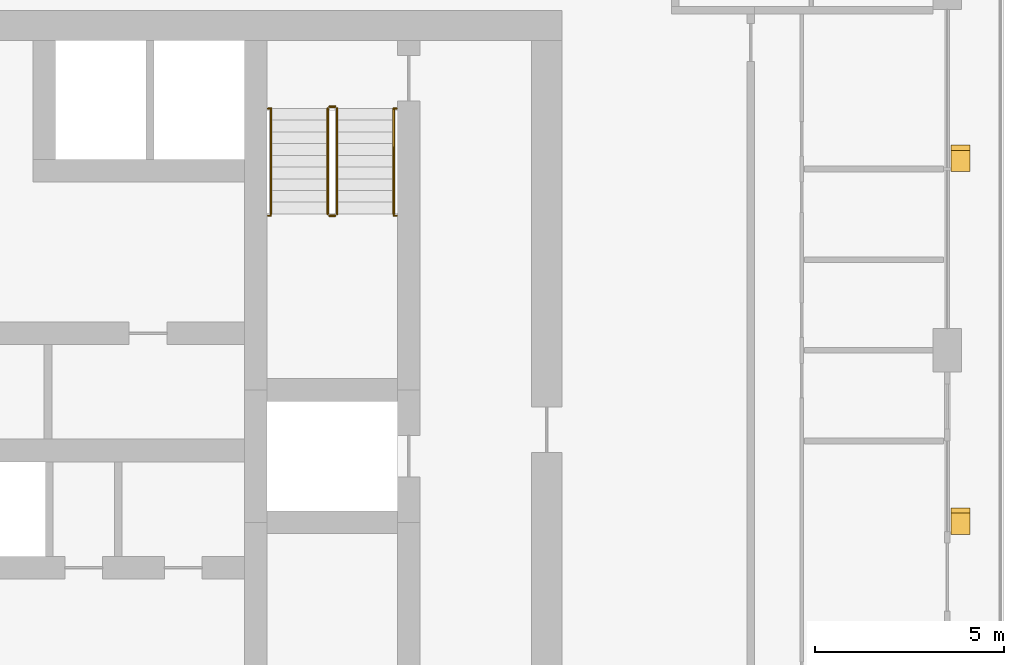
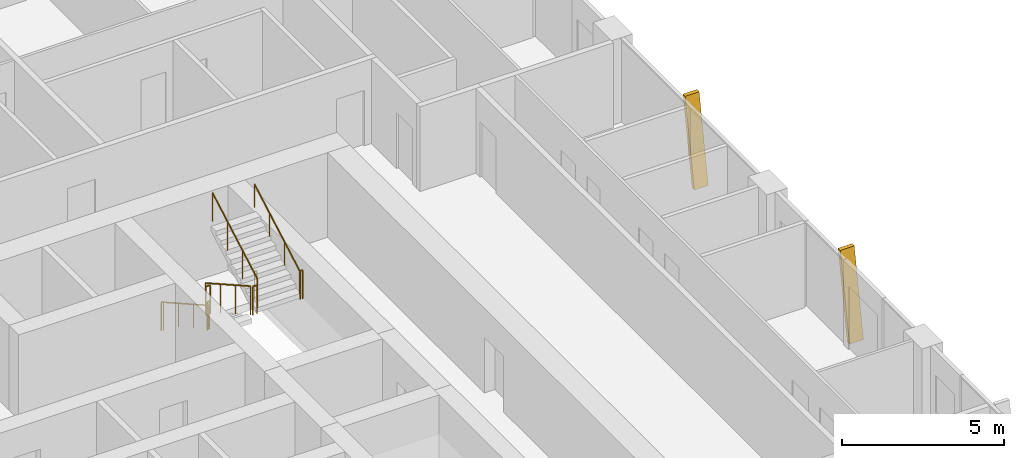
# One storey, part 21 of 22: 10 railings, 2 shading devices.
"""IFC4 building model written with IfcOpenShell, lengths in metres."""

from ifc_helpers import new_model, si_unit, direction, frame, origin, origin_2d, place, context, subcontext, project, spatial, polyline, circle, outline, extrude, material, type_object, element, save


model = new_model("IFC4")

# Units and contexts
model_context = context("Model", 3, precision=1e-05, world=origin(), true_north=direction((0.0, 1.0)))
body_context = subcontext(model_context, "Body", "Model", "MODEL_VIEW")
ifc_project = project(units=[si_unit("LENGTHUNIT", "METRE"), si_unit("AREAUNIT", "SQUARE_METRE"), si_unit("VOLUMEUNIT", "CUBIC_METRE"), si_unit("PLANEANGLEUNIT", "RADIAN"), si_unit("MASSUNIT", "GRAM", prefix="KILO")], contexts=[model_context])

# Site, building, storey
site_placement = place(None, origin())
site = spatial("IfcSite", under=ifc_project, at=site_placement, CompositionType="ELEMENT")
building_placement = place(site_placement, origin())
building = spatial("IfcBuilding", under=site, at=building_placement, Name="Madar Terraces", CompositionType="ELEMENT")
storey_placement = place(building_placement, frame((0.0, 0.0, 122.60009765625)))
storey = spatial("IfcBuildingStorey", under=building, at=storey_placement, Name="L31", CompositionType="ELEMENT", Elevation=122.60009765625)

# Shading devices
ifc_material_1 = material(Name="Aluminium, black anodised", Category="aluminium")
shading_device_type = type_object("IfcShadingDeviceType", Name="Facade fin blade 140 x 500", PredefinedType="USERDEFINED", material=ifc_material_1)
shading_device_1_placement = place(storey_placement, frame((57.949951171875, 23.929931640625, 0.0), z_axis=(0.0, 0.0, 1.0), x_axis=(0.0, 1.0, 0.0)))
element("IfcShadingDevice", 1, at=shading_device_1_placement, inside=storey, type_object=shading_device_type, Name="FIN L31 E2", ObjectType="FIN", PredefinedType="USERDEFINED", context=body_context, shape_type="SweptSolid", body=[
    extrude(outline(polyline([(0.0, 0.0), (0.14013671875, 0.0), (0.704345703125, 3.199951171875), (0.564208984375, 3.199951171875), (0.0, 0.0)])), frame((0.0, 0.25, 0.0), z_axis=(0.0, -1.0, 0.0), x_axis=(1.0, 0.0, 0.0)), (0.0, 0.0, 1.0), 0.5),
])
shading_device_2_placement = place(storey_placement, frame((57.949951171875, 33.530029296875, 0.0), z_axis=(0.0, 0.0, 1.0), x_axis=(0.0, 1.0, 0.0)))
element("IfcShadingDevice", 2, at=shading_device_2_placement, inside=storey, type_object=shading_device_type, Name="FIN L31 E3", ObjectType="FIN", PredefinedType="USERDEFINED", context=body_context, shape_type="SweptSolid", body=[
    extrude(outline(polyline([(0.0, 0.0), (0.139892578125, 0.0), (0.704345703125, 3.199951171875), (0.564208984375, 3.199951171875), (0.0, 0.0)])), frame((0.0, 0.25, 0.0), z_axis=(0.0, -1.0, 0.0), x_axis=(1.0, 0.0, 0.0)), (0.0, 0.0, 1.0), 0.5),
])

# Railings
ifc_material_2 = material(Name="Stainless steel railing", Category="steel")
railing_type_1 = type_object("IfcRailingType", Name="Stair guard 1100", PredefinedType="GUARDRAIL", material=ifc_material_2)
railing_1_placement = place(storey_placement, frame((41.199951171875, 35.199951171875, 0.1748046875)))
element("IfcRailing", 3, at=railing_1_placement, inside=storey, type_object=railing_type_1, Name="L31 ST2 stair guard 1", PredefinedType="GUARDRAIL", context=body_context, shape_type="SweptSolid", body=[
    extrude(circle(Radius=0.02392578125, at=origin_2d()), frame((0.0, 0.0, 1.076171875), z_axis=(0.0, -0.870801158333, 0.491635375706), x_axis=(1.0, 0.0, 0.0)), (0.0, 0.0, 1.0), 3.2041015625),
    extrude(circle(Radius=0.02099609375, at=origin_2d()), origin(), (0.0, 0.0, 1.0), 1.052001953125),
    extrude(circle(Radius=0.02099609375, at=origin_2d()), frame((0.0, -0.929931640625, 0.525146484375)), (0.0, 0.0, 1.0), 1.052001953125),
    extrude(circle(Radius=0.02099609375, at=origin_2d()), frame((0.0, -1.860107421875, 1.050048828125)), (0.0, 0.0, 1.0), 1.052001953125),
    extrude(circle(Radius=0.02099609375, at=origin_2d()), frame((0.0, -2.7900390625, 1.5751953125)), (0.0, 0.0, 1.0), 1.052001953125),
])
railing_2_placement = place(storey_placement, frame((41.25, 32.360107421875, 1.75)))
element("IfcRailing", 4, at=railing_2_placement, inside=storey, type_object=railing_type_1, Name="L31 ST2 stair guard 2", PredefinedType="GUARDRAIL", context=body_context, shape_type="SweptSolid", body=[
    extrude(circle(Radius=0.02392578125, at=origin_2d()), frame((0.0, 0.0, 1.076171875), z_axis=(1.0, 0.0, 0.0), x_axis=(0.0, 1.0, 0.0)), (0.0, 0.0, 1.0), 0.14990234375),
    extrude(circle(Radius=0.02099609375, at=origin_2d()), origin(), (0.0, 0.0, 1.0), 1.052001953125),
    extrude(circle(Radius=0.02099609375, at=origin_2d()), frame((0.14990234375, 0.0, 0.0)), (0.0, 0.0, 1.0), 1.052001953125),
])
railing_3_placement = place(storey_placement, frame((41.449951171875, 32.409912109375, 1.9248046875)))
element("IfcRailing", 5, at=railing_3_placement, inside=storey, type_object=railing_type_1, Name="L31 ST2 stair guard 3", PredefinedType="GUARDRAIL", context=body_context, shape_type="SweptSolid", body=[
    extrude(circle(Radius=0.02392578125, at=origin_2d()), frame((0.0, 0.0, 1.076171875), z_axis=(0.0, 0.870801158333, 0.491635375706), x_axis=(-1.0, 0.0, 0.0)), (0.0, 0.0, 1.0), 3.2041015625),
    extrude(circle(Radius=0.02099609375, at=origin_2d()), origin(), (0.0, 0.0, 1.0), 1.052001953125),
    extrude(circle(Radius=0.02099609375, at=origin_2d()), frame((0.0, 0.929931640625, 0.525146484375)), (0.0, 0.0, 1.0), 1.052001953125),
    extrude(circle(Radius=0.02099609375, at=origin_2d()), frame((0.0, 1.860107421875, 1.050048828125)), (0.0, 0.0, 1.0), 1.052001953125),
    extrude(circle(Radius=0.02099609375, at=origin_2d()), frame((0.0, 2.7900390625, 1.5751953125)), (0.0, 0.0, 1.0), 1.052001953125),
])
railing_4_placement = place(storey_placement, frame((41.25, 35.25, 0.0)))
element("IfcRailing", 6, at=railing_4_placement, inside=storey, type_object=railing_type_1, Name="L31 ST2 stair guard 4", PredefinedType="GUARDRAIL", context=body_context, shape_type="SweptSolid", body=[
    extrude(circle(Radius=0.02392578125, at=origin_2d()), frame((0.0, 0.0, 1.076171875), z_axis=(1.0, 0.0, 0.0), x_axis=(0.0, 1.0, 0.0)), (0.0, 0.0, 1.0), 0.14990234375),
    extrude(circle(Radius=0.02099609375, at=origin_2d()), origin(), (0.0, 0.0, 1.0), 1.052001953125),
    extrude(circle(Radius=0.02099609375, at=origin_2d()), frame((0.14990234375, 0.0, 0.0)), (0.0, 0.0, 1.0), 1.052001953125),
])
railing_5_placement = place(storey_placement, frame((39.6201171875, 32.360107421875, 1.75)))
element("IfcRailing", 7, at=railing_5_placement, inside=storey, type_object=railing_type_1, Name="L31 stair guard seat 1", PredefinedType="GUARDRAIL", context=body_context, shape_type="SweptSolid", body=[
    extrude(circle(Radius=0.02392578125, at=origin_2d()), frame((0.0, 0.0, 1.076171875), z_axis=(1.0, 0.0, 0.0), x_axis=(0.0, 1.0, 0.0)), (0.0, 0.0, 1.0), 0.079833984375),
    extrude(circle(Radius=0.02099609375, at=origin_2d()), origin(), (0.0, 0.0, 1.0), 1.052001953125),
    extrude(circle(Radius=0.02099609375, at=origin_2d()), frame((0.079833984375, 0.0, 0.0)), (0.0, 0.0, 1.0), 1.052001953125),
])
railing_6_placement = place(storey_placement, frame((42.949951171875, 32.360107421875, 1.75)))
element("IfcRailing", 8, at=railing_6_placement, inside=storey, type_object=railing_type_1, Name="L31 stair guard seat 2", PredefinedType="GUARDRAIL", context=body_context, shape_type="SweptSolid", body=[
    extrude(circle(Radius=0.02392578125, at=origin_2d()), frame((0.0, 0.0, 1.076171875), z_axis=(1.0, 0.0, 0.0), x_axis=(0.0, 1.0, 0.0)), (0.0, 0.0, 1.0), 0.080078125),
    extrude(circle(Radius=0.02099609375, at=origin_2d()), origin(), (0.0, 0.0, 1.0), 1.052001953125),
    extrude(circle(Radius=0.02099609375, at=origin_2d()), frame((0.080078125, 0.0, 0.0)), (0.0, 0.0, 1.0), 1.052001953125),
])
railing_7_placement = place(storey_placement, frame((39.6201171875, 35.199951171875, 0.0)))
element("IfcRailing", 9, at=railing_7_placement, inside=storey, type_object=railing_type_1, Name="L31 stair guard floor 1", PredefinedType="GUARDRAIL", context=body_context, shape_type="SweptSolid", body=[
    extrude(circle(Radius=0.02392578125, at=origin_2d()), frame((0.0, 0.0, 1.076171875), z_axis=(1.0, 0.0, 0.0), x_axis=(0.0, 1.0, 0.0)), (0.0, 0.0, 1.0), 0.079833984375),
    extrude(circle(Radius=0.02099609375, at=origin_2d()), origin(), (0.0, 0.0, 1.0), 1.052001953125),
    extrude(circle(Radius=0.02099609375, at=origin_2d()), frame((0.079833984375, 0.0, 0.0)), (0.0, 0.0, 1.0), 1.052001953125),
])
railing_8_placement = place(storey_placement, frame((42.949951171875, 35.199951171875, 0.0)))
element("IfcRailing", 10, at=railing_8_placement, inside=storey, type_object=railing_type_1, Name="L31 stair guard floor 2", PredefinedType="GUARDRAIL", context=body_context, shape_type="SweptSolid", body=[
    extrude(circle(Radius=0.02392578125, at=origin_2d()), frame((0.0, 0.0, 1.076171875), z_axis=(1.0, 0.0, 0.0), x_axis=(0.0, 1.0, 0.0)), (0.0, 0.0, 1.0), 0.080078125),
    extrude(circle(Radius=0.02099609375, at=origin_2d()), origin(), (0.0, 0.0, 1.0), 1.052001953125),
    extrude(circle(Radius=0.02099609375, at=origin_2d()), frame((0.080078125, 0.0, 0.0)), (0.0, 0.0, 1.0), 1.052001953125),
])
ifc_material_3 = material(Name="Stainless steel railing", Category="steel")
railing_type_2 = type_object("IfcRailingType", Name="Stair handrail 900", PredefinedType="HANDRAIL", material=ifc_material_3)
railing_9_placement = place(storey_placement, frame((39.699951171875, 35.199951171875, 0.1748046875)))
element("IfcRailing", 11, at=railing_9_placement, inside=storey, type_object=railing_type_2, Name="L31 ST2 stair handrail 1", PredefinedType="HANDRAIL", context=body_context, shape_type="SweptSolid", body=[
    extrude(circle(Radius=0.02392578125, at=origin_2d()), frame((0.0, 0.0, 0.8759765625), z_axis=(0.0, -0.870801158333, 0.491635375706), x_axis=(1.0, 0.0, 0.0)), (0.0, 0.0, 1.0), 3.2041015625),
    extrude(circle(Radius=0.02099609375, at=origin_2d()), origin(), (0.0, 0.0, 1.0), 0.851806640625),
    extrude(circle(Radius=0.02099609375, at=origin_2d()), frame((0.0, -0.929931640625, 0.525146484375)), (0.0, 0.0, 1.0), 0.851806640625),
    extrude(circle(Radius=0.02099609375, at=origin_2d()), frame((0.0, -1.860107421875, 1.050048828125)), (0.0, 0.0, 1.0), 0.851806640625),
    extrude(circle(Radius=0.02099609375, at=origin_2d()), frame((0.0, -2.7900390625, 1.5751953125)), (0.0, 0.0, 1.0), 0.851806640625),
])
railing_10_placement = place(storey_placement, frame((42.949951171875, 32.409912109375, 1.9248046875)))
element("IfcRailing", 12, at=railing_10_placement, inside=storey, type_object=railing_type_2, Name="L31 ST2 stair handrail 2", PredefinedType="HANDRAIL", context=body_context, shape_type="SweptSolid", body=[
    extrude(circle(Radius=0.02392578125, at=origin_2d()), frame((0.0, 0.0, 0.8759765625), z_axis=(0.0, 0.870801158333, 0.491635375706), x_axis=(-1.0, 0.0, 0.0)), (0.0, 0.0, 1.0), 3.2041015625),
    extrude(circle(Radius=0.02099609375, at=origin_2d()), origin(), (0.0, 0.0, 1.0), 0.851806640625),
    extrude(circle(Radius=0.02099609375, at=origin_2d()), frame((0.0, 0.929931640625, 0.525146484375)), (0.0, 0.0, 1.0), 0.851806640625),
    extrude(circle(Radius=0.02099609375, at=origin_2d()), frame((0.0, 1.860107421875, 1.050048828125)), (0.0, 0.0, 1.0), 0.851806640625),
    extrude(circle(Radius=0.02099609375, at=origin_2d()), frame((0.0, 2.7900390625, 1.5751953125)), (0.0, 0.0, 1.0), 0.851806640625),
])

save(model, "model.ifc")
